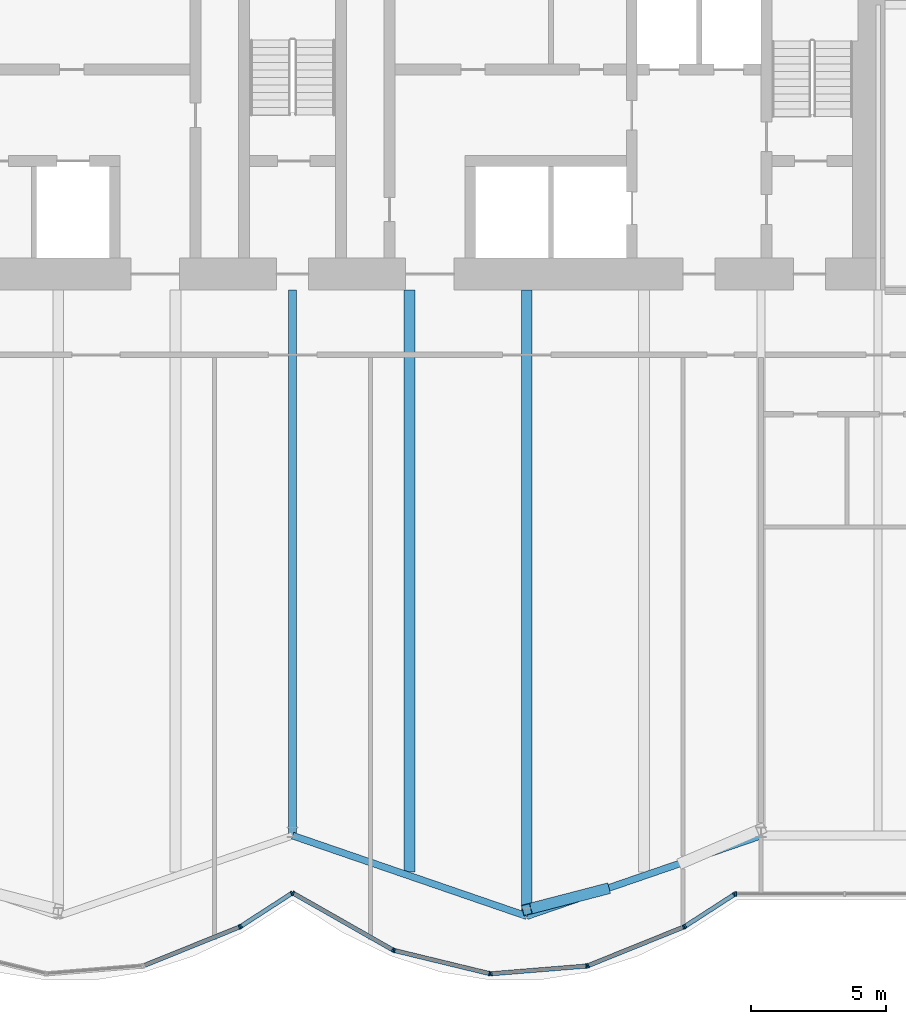
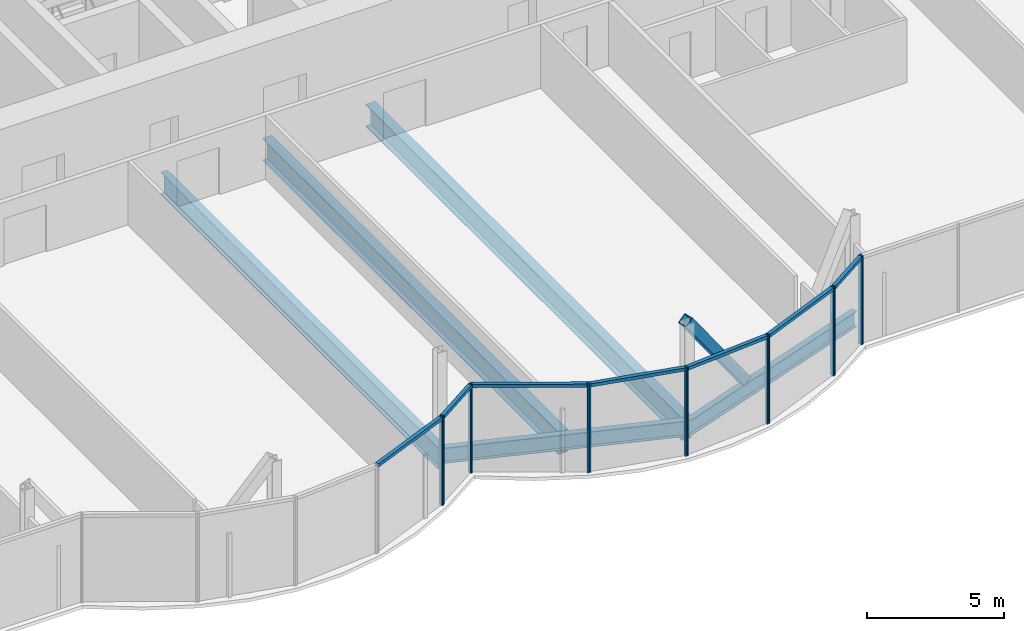
# One storey, part 8 of 22: 22 members, 5 beams, 3 elements without a shape of their own.
"""IFC4 building model written with IfcOpenShell, lengths in metres."""

import ifcopenshell
import ifcopenshell.guid

model = None  # the IFC model being written
_history = None  # IfcOwnerHistory: only IFC2X3 demands one
_inside = {}  # id of a spatial element -> (the spatial element, [elements in it])
_under = {}  # id of a project, library or spatial element -> (it, [spatial elements below it])
_declared = {}  # id of a project -> (the project, [libraries it declares])
_typed = {}  # id of a type object -> (the type object, [elements of that type])
_made_of = {}  # id of a material, layer set ... -> (it, [elements and type objects made of it])


def new_model(schema):
    """Start an empty IFC model of exactly this schema.

    Asked for "IFC4X3", IfcOpenShell would pick the latest addendum, in which some entities
    have other attributes; the version numbers below select the first issue.
    IFC2X3 requires an IfcOwnerHistory on every rooted entity: one is made here for all.
    """
    global model, _history
    if schema == "IFC4X3":
        model = ifcopenshell.file(schema_version=(4, 3, 0, 0))
    else:
        model = ifcopenshell.file(schema=schema)
    _inside.clear()
    _under.clear()
    _declared.clear()
    _typed.clear()
    _made_of.clear()
    _history = None
    if model.schema == "IFC2X3":
        org = make("IfcOrganization", Name="unknown")
        user = make(
            "IfcPersonAndOrganization",
            ThePerson=make("IfcPerson", FamilyName="unknown"),
            TheOrganization=org,
        )
        app = make(
            "IfcApplication",
            ApplicationDeveloper=org,
            Version="unknown",
            ApplicationFullName="unknown",
            ApplicationIdentifier="unknown",
        )
        _history = make(
            "IfcOwnerHistory",
            OwningUser=user,
            OwningApplication=app,
            ChangeAction="ADDED",
            CreationDate=0,
        )
    return model


def make(cls, **values):
    """One entity of the class cls with the attributes given. An attribute that is None is left unset."""
    return model.create_entity(
        cls, **{name: value for name, value in values.items() if value is not None}
    )


def rooted(cls, **values):
    """An entity with a GlobalId (a new one), such as an element, a storey or a relation."""
    return make(cls, GlobalId=ifcopenshell.guid.new(), OwnerHistory=_history, **values)


def si_unit(unit_type, name, prefix=None):
    """IfcSIUnit, for example si_unit("LENGTHUNIT", "METRE", prefix="MILLI")."""
    return make("IfcSIUnit", UnitType=unit_type, Prefix=prefix, Name=name)


def assignment(units):
    """IfcUnitAssignment: the units of a project."""
    return None if units is None else make("IfcUnitAssignment", Units=units)


def point(xyz):
    """IfcCartesianPoint."""
    return None if xyz is None else make("IfcCartesianPoint", Coordinates=xyz)


def direction(xyz):
    """IfcDirection."""
    return None if xyz is None else make("IfcDirection", DirectionRatios=xyz)


def frame(location, z_axis=None, x_axis=None):
    """IfcAxis2Placement3D, a coordinate frame: its origin and axes. An axis left out is left unset."""
    return make(
        "IfcAxis2Placement3D",
        Location=point(location),
        Axis=direction(z_axis),
        RefDirection=direction(x_axis),
    )


def frame_2d(location, x_axis=None):
    """IfcAxis2Placement2D, a coordinate frame in the plane: its origin and x axis."""
    return make(
        "IfcAxis2Placement2D", Location=point(location), RefDirection=direction(x_axis)
    )


def origin():
    """The frame at (0, 0, 0) with its axes left unset."""
    return frame((0.0, 0.0, 0.0))


def origin_2d():
    """The frame at (0, 0) in the plane with its x axis left unset."""
    return frame_2d((0.0, 0.0))


def place(relative_to, where):
    """IfcLocalPlacement: puts the frame where relative to a parent placement (None: the world)."""
    return make(
        "IfcLocalPlacement", PlacementRelTo=relative_to, RelativePlacement=where
    )


def context(
    kind, dimensions, precision=None, world=None, true_north=None, identifier=None
):
    """IfcGeometricRepresentationContext, for example the 3D "Model" context."""
    return make(
        "IfcGeometricRepresentationContext",
        ContextIdentifier=identifier,
        ContextType=kind,
        CoordinateSpaceDimension=dimensions,
        Precision=precision,
        WorldCoordinateSystem=world,
        TrueNorth=true_north,
    )


def subcontext(parent, identifier, kind, view, scale=None):
    """IfcGeometricRepresentationSubContext, for example "Body" below "Model"."""
    return make(
        "IfcGeometricRepresentationSubContext",
        ContextIdentifier=identifier,
        ContextType=kind,
        ParentContext=parent,
        TargetScale=scale,
        TargetView=view,
    )


def project(units=None, contexts=None):
    """IfcProject with its units and contexts."""
    return rooted(
        "IfcProject",
        Name="project",
        RepresentationContexts=contexts,
        UnitsInContext=assignment(units),
    )


def spatial(cls, under=None, at=None, **own):
    """A site, building, storey or space (cls), placed at a placement, below another one or the project."""
    s = rooted(cls, ObjectPlacement=at, **own)
    if under is not None:
        _under.setdefault(under.id(), (under, []))[1].append(s)
    return s


def profile(cls, at=None, kind="AREA", **sizes):
    """A parametric profile (cls). Its sizes go by their IFC names, for example OverallWidth=200.0."""
    return make(cls, ProfileType=kind, Position=at, **sizes)


def rectangle(**sizes):
    """IfcRectangleProfileDef."""
    return profile("IfcRectangleProfileDef", **sizes)


def hollow_rectangle(**sizes):
    """IfcRectangleHollowProfileDef."""
    return profile("IfcRectangleHollowProfileDef", **sizes)


def i_section(**sizes):
    """IfcIShapeProfileDef."""
    return profile("IfcIShapeProfileDef", **sizes)


def extrude(swept, where, along, depth):
    """IfcExtrudedAreaSolid: the profile swept, set in the frame where, extruded along a direction by depth."""
    return make(
        "IfcExtrudedAreaSolid",
        SweptArea=swept,
        Position=where,
        ExtrudedDirection=direction(along),
        Depth=depth,
    )


def shape(context_of_items, identifier, shape_type, items):
    """IfcShapeRepresentation: the items that make up one representation, for example the "Body"."""
    return make(
        "IfcShapeRepresentation",
        ContextOfItems=context_of_items,
        RepresentationIdentifier=identifier,
        RepresentationType=shape_type,
        Items=items,
    )


def material(Name=None, Category=None):
    """IfcMaterial."""
    return make("IfcMaterial", Name=Name, Category=Category)


def material_profile(
    of_material, cross_section, Name=None, Category=None, Priority=None
):
    """IfcMaterialProfile: a cross section and its material."""
    return make(
        "IfcMaterialProfile",
        Name=Name,
        Material=of_material,
        Profile=cross_section,
        Priority=Priority,
        Category=Category,
    )


def profile_set(profiles, Name=None, composite=None):
    """IfcMaterialProfileSet."""
    return make(
        "IfcMaterialProfileSet",
        Name=Name,
        MaterialProfiles=profiles,
        CompositeProfile=composite,
    )


def made_of(thing, what):
    """Note that an element or type object is made of a material, layer set ...; save() writes the relation."""
    if what is not None:
        _made_of.setdefault(what.id(), (what, []))[1].append(thing)
    return thing


def type_object(cls, material=None, **own):
    """A type object (cls), such as IfcWallType, which elements share."""
    return made_of(rooted(cls, **own), material)


def element(
    cls,
    number,
    at=None,
    inside=None,
    cuts=None,
    type_object=None,
    material=None,
    context=None,
    identifier="Body",
    shape_type=None,
    held_by="IfcProductDefinitionShape",
    body=None,
    shapes=None,
    **own,
):
    """One element of the class cls, such as IfcWall. Its Tag is "e" and its number.

    at: its placement. inside: the storey or other place that contains it. cuts: it is an
    opening in that element (IfcRelVoidsElement). A single representation is given by context,
    identifier, shape_type and body (its items); several are given by shapes. held_by: the class
    of the entity that holds the representations. save() writes the other relations.
    """
    e = rooted(cls, Tag="e%d" % number, ObjectPlacement=at, **own)
    if body is not None:
        shapes = [shape(context, identifier, shape_type, body)]
    if shapes is not None:
        e.Representation = make(held_by, Representations=shapes)
    if inside is not None:
        _inside.setdefault(inside.id(), (inside, []))[1].append(e)
    if cuts is not None:
        rooted(
            "IfcRelVoidsElement", RelatingBuildingElement=cuts, RelatedOpeningElement=e
        )
    if type_object is not None:
        _typed.setdefault(type_object.id(), (type_object, []))[1].append(e)
    return made_of(e, material)


def aggregate(whole, parts):
    """IfcRelAggregates: a whole, such as a stair, and the parts it consists of."""
    return rooted("IfcRelAggregates", RelatingObject=whole, RelatedObjects=parts)


def save(model, path):
    """Write the relations noted so far, then the file.

    IfcRelAggregates (storeys below a building ...), IfcRelContainedInSpatialStructure (elements
    in a storey), IfcRelDefinesByType, IfcRelAssociatesMaterial and IfcRelDeclares: one each for
    every whole, place, type object, material and project.
    """
    for whole, parts in _under.values():
        aggregate(whole, parts)
    for where, things in _inside.values():
        rooted(
            "IfcRelContainedInSpatialStructure",
            RelatedElements=things,
            RelatingStructure=where,
        )
    for kind, things in _typed.values():
        rooted("IfcRelDefinesByType", RelatedObjects=things, RelatingType=kind)
    for what, things in _made_of.values():
        rooted("IfcRelAssociatesMaterial", RelatedObjects=things, RelatingMaterial=what)
    for by, libraries in _declared.values():
        rooted("IfcRelDeclares", RelatingContext=by, RelatedDefinitions=libraries)
    model.write(path)


model = new_model("IFC4")

# Units and contexts
model_context = context("Model", 3, precision=1e-05, world=origin(), true_north=direction((0.0, 1.0)))
body_context = subcontext(model_context, "Body", "Model", "MODEL_VIEW")
ifc_project = project(units=[si_unit("LENGTHUNIT", "METRE"), si_unit("AREAUNIT", "SQUARE_METRE"), si_unit("VOLUMEUNIT", "CUBIC_METRE"), si_unit("PLANEANGLEUNIT", "RADIAN"), si_unit("MASSUNIT", "GRAM", prefix="KILO")], contexts=[model_context])

# Site, building, storey
site_placement = place(None, origin())
site = spatial("IfcSite", under=ifc_project, at=site_placement, CompositionType="ELEMENT")
building_placement = place(site_placement, origin())
building = spatial("IfcBuilding", under=site, at=building_placement, Name="Bicima Exchange Tower", CompositionType="ELEMENT")
storey_placement = place(building_placement, frame((0.0, 0.0, 148.60009765625)))
storey = spatial("IfcBuildingStorey", under=building, at=storey_placement, Name="L32", CompositionType="ELEMENT", Elevation=148.60009765625)

# Beams
ifc_material_1 = material(Name="Steel ASTM A992 Gr 50", Category="steel")
ifc_material_profile_1 = material_profile(ifc_material_1, i_section(OverallWidth=0.2998046875, OverallDepth=0.97021484375, WebThickness=0.01611328125, FlangeThickness=0.02099609375, at=origin_2d()))
ifc_profile_set_1 = profile_set([ifc_material_profile_1], Name="Steel ASTM A992 Gr 50")
beam_type_1 = type_object("IfcBeamType", Name="Floor beam W40x149", PredefinedType="JOIST", material=ifc_profile_set_1)
beam_1_placement = place(storey_placement, frame((0.0, -13.0, -0.63525390625), z_axis=(0.0, -1.0, 0.0), x_axis=(1.0, 0.0, 0.0)))
element("IfcBeam", 1, at=beam_1_placement, inside=storey, type_object=beam_type_1, Name="Floor beam", PredefinedType="JOIST", context=body_context, shape_type="SweptSolid", body=[
    extrude(i_section(OverallWidth=0.2998046875, OverallDepth=0.97021484375, WebThickness=0.01611328125, FlangeThickness=0.02099609375, at=origin_2d()), origin(), (0.0, 0.0, 1.0), 20.256103515625),
])
ifc_material_profile_2 = material_profile(ifc_material_1, i_section(OverallWidth=0.4013671875, OverallDepth=0.990478515625, WebThickness=0.0166015625, FlangeThickness=0.031005859375, at=origin_2d()))
ifc_profile_set_2 = profile_set([ifc_material_profile_2], Name="Steel ASTM A992 Gr 50")
beam_type_2 = type_object("IfcBeamType", Name="Floor beam W40x215", PredefinedType="JOIST", material=ifc_profile_set_2)
beam_2_placement = place(storey_placement, frame((4.35009765625, -13.0, -0.6455078125), z_axis=(0.0, -1.0, 0.0), x_axis=(1.0, 0.0, 0.0)))
element("IfcBeam", 2, at=beam_2_placement, inside=storey, type_object=beam_type_2, Name="Floor beam", PredefinedType="JOIST", context=body_context, shape_type="SweptSolid", body=[
    extrude(i_section(OverallWidth=0.4013671875, OverallDepth=0.990478515625, WebThickness=0.0166015625, FlangeThickness=0.031005859375, at=origin_2d()), origin(), (0.0, 0.0, 1.0), 21.615966796875),
])
beam_3_placement = place(storey_placement, frame((8.699951171875, -13.0, -0.6455078125), z_axis=(0.0, -1.0, 0.0), x_axis=(1.0, 0.0, 0.0)))
element("IfcBeam", 3, at=beam_3_placement, inside=storey, type_object=beam_type_2, Name="Floor beam", PredefinedType="JOIST", context=body_context, shape_type="SweptSolid", body=[
    extrude(i_section(OverallWidth=0.4013671875, OverallDepth=0.990478515625, WebThickness=0.0166015625, FlangeThickness=0.031005859375, at=origin_2d()), origin(), (0.0, 0.0, 1.0), 23.111328125),
])
ifc_material_profile_3 = material_profile(ifc_material_1, i_section(OverallWidth=0.256591796875, OverallDepth=0.693359375, WebThickness=0.014404296875, FlangeThickness=0.023681640625, at=origin_2d()))
ifc_profile_set_3 = profile_set([ifc_material_profile_3], Name="Steel ASTM A992 Gr 50")
beam_type_3 = type_object("IfcBeamType", Name="Front girder W27x114", PredefinedType="BEAM", material=ifc_profile_set_3)
for number, where, z_axis, x_axis, name in (
    (4, (0.0, -33.256103515625, -0.496826171875), (0.945674616091, -0.32511462668, 0.0), (0.32511462668, 0.945674616091, 0.0), "Front girder"),
    (5, (8.699951171875, -36.2470703125, -0.496826171875), (0.945674616091, 0.32511462668, 0.0), (-0.32511462668, 0.945674616091, 0.0), "Front girder"),
):
    element("IfcBeam", number, at=place(storey_placement, frame(where, z_axis=z_axis, x_axis=x_axis)), inside=storey, type_object=beam_type_3, Name=name, PredefinedType="BEAM", context=body_context, shape_type="SweptSolid", body=[
        extrude(i_section(OverallWidth=0.256591796875, OverallDepth=0.693359375, WebThickness=0.014404296875, FlangeThickness=0.023681640625, at=origin_2d()), origin(), (0.0, 0.0, 1.0), 9.19970703125),
    ])

# Curtain wall, members
ifc_material_2 = material(Name="Anodised bronze aluminium", Category="aluminium")
curtain_wall_type = type_object("IfcCurtainWallType", Name="Front glass wall", PredefinedType="NOTDEFINED", material=ifc_material_2)
curtain_wall_1_placement = place(storey_placement, origin())
curtain_wall_1 = element("IfcCurtainWall", 6, at=curtain_wall_1_placement, inside=storey, type_object=curtain_wall_type, Name="Front glass wall L32 run 6", PredefinedType="NOTDEFINED")
ifc_material_profile_4 = material_profile(ifc_material_2, rectangle(XDim=0.159912109375, YDim=0.06005859375, at=origin_2d()))
ifc_profile_set_4 = profile_set([ifc_material_profile_4], Name="Anodised bronze aluminium")
member_type_1 = type_object("IfcMemberType", Name="Front glass wall mullion 60 x 160", PredefinedType="MULLION", material=ifc_profile_set_4)
member_1_placement = place(storey_placement, frame((-1.97412109375, -36.651611328125, 0.0), z_axis=(0.0, 0.0, 1.0), x_axis=(-0.374705304, 0.92714396679, 0.0)))
member_1 = element("IfcMember", 7, at=member_1_placement, type_object=member_type_1, Name="Front glass wall mullion 2", PredefinedType="MULLION", context=body_context, shape_type="SweptSolid", body=[
    extrude(rectangle(XDim=0.159912109375, YDim=0.06005859375, at=origin_2d()), origin(), (0.0, 0.0, 1.0), 3.949951171875),
])
member_2_placement = place(storey_placement, frame((-1.921142578125, -36.6240234375, 0.0), z_axis=(0.0, 0.0, 1.0), x_axis=(-0.542897457326, 0.839798994301, 0.0)))
member_2 = element("IfcMember", 8, at=member_2_placement, type_object=member_type_1, Name="Front glass wall mullion 1", PredefinedType="MULLION", context=body_context, shape_type="SweptSolid", body=[
    extrude(rectangle(XDim=0.159912109375, YDim=0.06005859375, at=origin_2d()), origin(), (0.0, 0.0, 1.0), 3.949951171875),
])
member_3_placement = place(storey_placement, frame((-0.025146484375, -35.3984375, 0.0), z_axis=(0.0, 0.0, 1.0), x_axis=(-0.542897457326, 0.839798994301, 0.0)))
member_3 = element("IfcMember", 9, at=member_3_placement, type_object=member_type_1, Name="Front glass wall mullion 2", PredefinedType="MULLION", context=body_context, shape_type="SweptSolid", body=[
    extrude(rectangle(XDim=0.159912109375, YDim=0.06005859375, at=origin_2d()), origin(), (0.0, 0.0, 1.0), 3.949951171875),
])

curtain_wall_2_placement = place(storey_placement, origin())
curtain_wall_2 = element("IfcCurtainWall", 10, at=curtain_wall_2_placement, inside=storey, type_object=curtain_wall_type, Name="Front glass wall L32 run 11", PredefinedType="NOTDEFINED")
member_4_placement = place(storey_placement, frame((0.026123046875, -35.39697265625, 0.0), z_axis=(0.0, 0.0, 1.0), x_axis=(0.494330311331, 0.869274147378, 0.0)))
member_4 = element("IfcMember", 11, at=member_4_placement, type_object=member_type_1, Name="Front glass wall mullion 1", PredefinedType="MULLION", context=body_context, shape_type="SweptSolid", body=[
    extrude(rectangle(XDim=0.159912109375, YDim=0.06005859375, at=origin_2d()), origin(), (0.0, 0.0, 1.0), 3.949951171875),
])
member_5_placement = place(storey_placement, frame((3.7265625, -37.50146484375, 0.0), z_axis=(0.0, 0.0, 1.0), x_axis=(0.494330311331, 0.869274147378, 0.0)))
member_5 = element("IfcMember", 12, at=member_5_placement, type_object=member_type_1, Name="Front glass wall mullion 2", PredefinedType="MULLION", context=body_context, shape_type="SweptSolid", body=[
    extrude(rectangle(XDim=0.159912109375, YDim=0.06005859375, at=origin_2d()), origin(), (0.0, 0.0, 1.0), 3.949951171875),
])
member_6_placement = place(storey_placement, frame((3.781982421875, -37.523193359375, 0.0), z_axis=(0.0, 0.0, 1.0), x_axis=(0.235681529503, 0.971830343553, 0.0)))
member_6 = element("IfcMember", 13, at=member_6_placement, type_object=member_type_1, Name="Front glass wall mullion 1", PredefinedType="MULLION", context=body_context, shape_type="SweptSolid", body=[
    extrude(rectangle(XDim=0.159912109375, YDim=0.06005859375, at=origin_2d()), origin(), (0.0, 0.0, 1.0), 3.949951171875),
])
member_7_placement = place(storey_placement, frame((7.322509765625, -38.3818359375, 0.0), z_axis=(0.0, 0.0, 1.0), x_axis=(0.235681529503, 0.971830343553, 0.0)))
member_7 = element("IfcMember", 14, at=member_7_placement, type_object=member_type_1, Name="Front glass wall mullion 2", PredefinedType="MULLION", context=body_context, shape_type="SweptSolid", body=[
    extrude(rectangle(XDim=0.159912109375, YDim=0.06005859375, at=origin_2d()), origin(), (0.0, 0.0, 1.0), 3.949951171875),
])
member_8_placement = place(storey_placement, frame((7.381591796875, -38.38671875, 0.0), z_axis=(0.0, 0.0, 1.0), x_axis=(-0.080588612633, 0.99674744821, 0.0)))
member_8 = element("IfcMember", 15, at=member_8_placement, type_object=member_type_1, Name="Front glass wall mullion 1", PredefinedType="MULLION", context=body_context, shape_type="SweptSolid", body=[
    extrude(rectangle(XDim=0.159912109375, YDim=0.06005859375, at=origin_2d()), origin(), (0.0, 0.0, 1.0), 3.949951171875),
])
member_9_placement = place(storey_placement, frame((10.916015625, -38.100830078125, 0.0), z_axis=(0.0, 0.0, 1.0), x_axis=(-0.080588612633, 0.99674744821, 0.0)))
member_9 = element("IfcMember", 16, at=member_9_placement, type_object=member_type_1, Name="Front glass wall mullion 2", PredefinedType="MULLION", context=body_context, shape_type="SweptSolid", body=[
    extrude(rectangle(XDim=0.159912109375, YDim=0.06005859375, at=origin_2d()), origin(), (0.0, 0.0, 1.0), 3.949951171875),
])
member_10_placement = place(storey_placement, frame((10.973876953125, -38.087158203125, 0.0), z_axis=(0.0, 0.0, 1.0), x_axis=(-0.374705304, 0.92714396679, 0.0)))
member_10 = element("IfcMember", 17, at=member_10_placement, type_object=member_type_1, Name="Front glass wall mullion 1", PredefinedType="MULLION", context=body_context, shape_type="SweptSolid", body=[
    extrude(rectangle(XDim=0.159912109375, YDim=0.06005859375, at=origin_2d()), origin(), (0.0, 0.0, 1.0), 3.949951171875),
])
member_11_placement = place(storey_placement, frame((14.52587890625, -36.651611328125, 0.0), z_axis=(0.0, 0.0, 1.0), x_axis=(-0.374705304, 0.92714396679, 0.0)))
member_11 = element("IfcMember", 18, at=member_11_placement, type_object=member_type_1, Name="Front glass wall mullion 2", PredefinedType="MULLION", context=body_context, shape_type="SweptSolid", body=[
    extrude(rectangle(XDim=0.159912109375, YDim=0.06005859375, at=origin_2d()), origin(), (0.0, 0.0, 1.0), 3.949951171875),
])
member_12_placement = place(storey_placement, frame((14.578857421875, -36.6240234375, 0.0), z_axis=(0.0, 0.0, 1.0), x_axis=(-0.542909183079, 0.839791413941, 0.0)))
member_12 = element("IfcMember", 19, at=member_12_placement, type_object=member_type_1, Name="Front glass wall mullion 1", PredefinedType="MULLION", context=body_context, shape_type="SweptSolid", body=[
    extrude(rectangle(XDim=0.159912109375, YDim=0.06005859375, at=origin_2d()), origin(), (0.0, 0.0, 1.0), 3.949951171875),
])
member_13_placement = place(storey_placement, frame((16.406982421875, -35.4423828125, 0.0), z_axis=(0.0, 0.0, 1.0), x_axis=(-0.542909183079, 0.839791413941, 0.0)))
member_13 = element("IfcMember", 20, at=member_13_placement, type_object=member_type_1, Name="Front glass wall mullion 2", PredefinedType="MULLION", context=body_context, shape_type="SweptSolid", body=[
    extrude(rectangle(XDim=0.159912109375, YDim=0.06005859375, at=origin_2d()), origin(), (0.0, 0.0, 1.0), 3.949951171875),
])

# Curtain wall, member
curtain_wall_3_placement = place(storey_placement, origin())
curtain_wall_3 = element("IfcCurtainWall", 21, at=curtain_wall_3_placement, inside=storey, type_object=curtain_wall_type, Name="Front glass wall L32 run 16", PredefinedType="NOTDEFINED")
member_14_placement = place(storey_placement, frame((16.462158203125, -35.426025390625, 0.0), z_axis=(0.0, 0.0, 1.0), x_axis=(0.0, 1.0, 0.0)))
member_14 = element("IfcMember", 22, at=member_14_placement, type_object=member_type_1, Name="Front glass wall mullion 1", PredefinedType="MULLION", context=body_context, shape_type="SweptSolid", body=[
    extrude(rectangle(XDim=0.159912109375, YDim=0.06005859375, at=origin_2d()), origin(), (0.0, 0.0, 1.0), 3.949951171875),
])
aggregate(curtain_wall_3, [member_14])

# Member
ifc_material_profile_5 = material_profile(ifc_material_2, rectangle(XDim=0.159912109375, YDim=0.139892578125, at=origin_2d()))
ifc_profile_set_5 = profile_set([ifc_material_profile_5], Name="Anodised bronze aluminium")
member_type_2 = type_object("IfcMemberType", Name="Front glass wall transom 140 x 160", PredefinedType="USERDEFINED", material=ifc_profile_set_5)
member_15_placement = place(storey_placement, frame((-5.498291015625, -38.075927734375, 3.8798828125), z_axis=(0.927140215882, 0.374714584842, 0.0), x_axis=(-0.374714584842, 0.927140215882, 0.0)))
member_15 = element("IfcMember", 23, at=member_15_placement, type_object=member_type_2, Name="Front glass wall transom 1.1", ObjectType="TRANSOM", PredefinedType="USERDEFINED", context=body_context, shape_type="SweptSolid", body=[
    extrude(rectangle(XDim=0.159912109375, YDim=0.139892578125, at=origin_2d()), origin(), (0.0, 0.0, 1.0), 3.77099609375),
])

member_16_placement = place(storey_placement, frame((-1.89599609375, -36.60791015625, 3.8798828125), z_axis=(0.839811483481, 0.542878137536, 0.0), x_axis=(-0.542878137536, 0.839811483481, 0.0)))
member_16 = element("IfcMember", 24, at=member_16_placement, type_object=member_type_2, Name="Front glass wall transom 1.1", ObjectType="TRANSOM", PredefinedType="USERDEFINED", context=body_context, shape_type="SweptSolid", body=[
    extrude(rectangle(XDim=0.159912109375, YDim=0.139892578125, at=origin_2d()), origin(), (0.0, 0.0, 1.0), 2.19775390625),
])

aggregate(curtain_wall_1, [member_1, member_15, member_2, member_3, member_16])

member_17_placement = place(storey_placement, frame((0.05224609375, -35.411865234375, 3.8798828125), z_axis=(0.869265121745, -0.494346182466, 0.0), x_axis=(0.494346182466, 0.869265121745, 0.0)))
member_17 = element("IfcMember", 25, at=member_17_placement, type_object=member_type_2, Name="Front glass wall transom 1.1", ObjectType="TRANSOM", PredefinedType="USERDEFINED", context=body_context, shape_type="SweptSolid", body=[
    extrude(rectangle(XDim=0.159912109375, YDim=0.139892578125, at=origin_2d()), origin(), (0.0, 0.0, 1.0), 4.19677734375),
])

member_18_placement = place(storey_placement, frame((3.81103515625, -37.5302734375, 3.8798828125), z_axis=(0.971817951661, -0.235732621477, 0.0), x_axis=(0.235732621477, 0.971817951661, 0.0)))
member_18 = element("IfcMember", 26, at=member_18_placement, type_object=member_type_2, Name="Front glass wall transom 1.1", ObjectType="TRANSOM", PredefinedType="USERDEFINED", context=body_context, shape_type="SweptSolid", body=[
    extrude(rectangle(XDim=0.159912109375, YDim=0.139892578125, at=origin_2d()), origin(), (0.0, 0.0, 1.0), 3.58349609375),
])

member_19_placement = place(storey_placement, frame((7.41162109375, -38.38427734375, 3.8798828125), z_axis=(0.9967456465, 0.080610893699, 0.0), x_axis=(-0.080610893699, 0.9967456465, 0.0)))
member_19 = element("IfcMember", 27, at=member_19_placement, type_object=member_type_2, Name="Front glass wall transom 1.1", ObjectType="TRANSOM", PredefinedType="USERDEFINED", context=body_context, shape_type="SweptSolid", body=[
    extrude(rectangle(XDim=0.159912109375, YDim=0.139892578125, at=origin_2d()), origin(), (0.0, 0.0, 1.0), 3.48583984375),
])

member_20_placement = place(storey_placement, frame((11.001708984375, -38.075927734375, 3.8798828125), z_axis=(0.927140215882, 0.374714584842, 0.0), x_axis=(-0.374714584842, 0.927140215882, 0.0)))
member_20 = element("IfcMember", 28, at=member_20_placement, type_object=member_type_2, Name="Front glass wall transom 1.1", ObjectType="TRANSOM", PredefinedType="USERDEFINED", context=body_context, shape_type="SweptSolid", body=[
    extrude(rectangle(XDim=0.159912109375, YDim=0.139892578125, at=origin_2d()), origin(), (0.0, 0.0, 1.0), 3.77099609375),
])

member_21_placement = place(storey_placement, frame((14.60400390625, -36.60791015625, 3.8798828125), z_axis=(0.839740302602, 0.542988235771, 0.0), x_axis=(-0.542988235771, 0.839740302602, 0.0)))
member_21 = element("IfcMember", 29, at=member_21_placement, type_object=member_type_2, Name="Front glass wall transom 1.1", ObjectType="TRANSOM", PredefinedType="USERDEFINED", context=body_context, shape_type="SweptSolid", body=[
    extrude(rectangle(XDim=0.159912109375, YDim=0.139892578125, at=origin_2d()), origin(), (0.0, 0.0, 1.0), 2.116943359375),
])

aggregate(curtain_wall_2, [member_4, member_5, member_17, member_6, member_7, member_18, member_8, member_9, member_19, member_10, member_11, member_20, member_12, member_13, member_21])

ifc_material_3 = material(Name="Steel ASTM A572 Gr 50", Category="steel")
ifc_material_profile_6 = material_profile(ifc_material_3, hollow_rectangle(XDim=0.406494140625, YDim=0.406494140625, WallThickness=0.017822265625, at=origin_2d()))
ifc_profile_set_6 = profile_set([ifc_material_profile_6], Name="Steel ASTM A572 Gr 50")
member_type_3 = type_object("IfcMemberType", Name="Mega brace HSS16x16x3/4", PredefinedType="BRACE", material=ifc_profile_set_6)
member_22_placement = place(storey_placement, frame((11.60009765625, -35.25, 0.0), z_axis=(-0.571110577568, -0.148318556427, 0.807362566639), x_axis=(0.251363668904, -0.967892714073, 0.0)))
element("IfcMember", 30, at=member_22_placement, inside=storey, type_object=member_type_3, Name="Mega brace front", PredefinedType="BRACE", context=body_context, shape_type="SweptSolid", body=[
    extrude(hollow_rectangle(XDim=0.406494140625, YDim=0.406494140625, WallThickness=0.017822265625, at=origin_2d()), origin(), (0.0, 0.0, 1.0), 5.078125),
])

save(model, "model.ifc")
